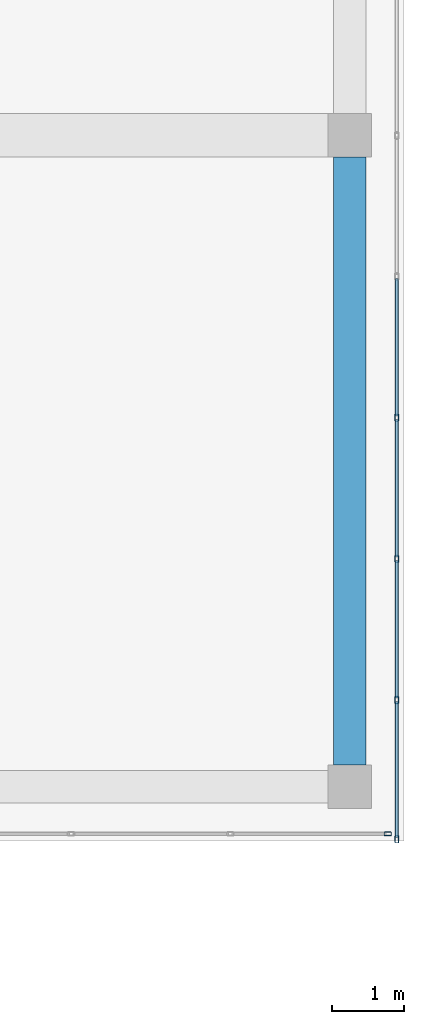
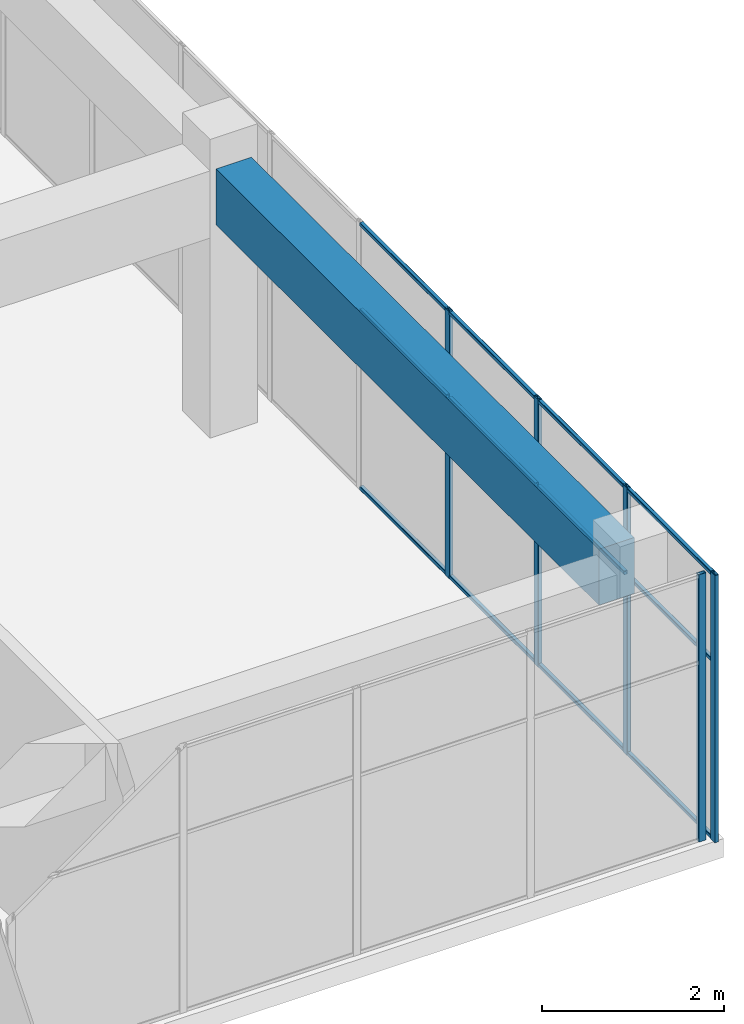
# One storey, part 17 of 35: 17 members, 1 beam, 2 elements without a shape of their own.
"""IFC4 building model written with IfcOpenShell, lengths in metres."""

from ifc_helpers import new_model, si_unit, direction, frame, origin, origin_2d, place, context, subcontext, project, spatial, rectangle, hollow_rectangle, extrude, material, layer, layer_set, material_profile, profile_set, type_object, element, aggregate, save


model = new_model("IFC4")

# Units and contexts
model_context = context("Model", 3, precision=1e-05, world=origin(), true_north=direction((0.0, 1.0)))
body_context = subcontext(model_context, "Body", "Model", "MODEL_VIEW")
ifc_project = project(units=[si_unit("LENGTHUNIT", "METRE"), si_unit("AREAUNIT", "SQUARE_METRE"), si_unit("VOLUMEUNIT", "CUBIC_METRE"), si_unit("PLANEANGLEUNIT", "RADIAN"), si_unit("MASSUNIT", "GRAM", prefix="KILO")], contexts=[model_context])

# Site, building, storey
site_placement = place(None, origin())
site = spatial("IfcSite", under=ifc_project, at=site_placement, CompositionType="ELEMENT")
building_placement = place(site_placement, origin())
building = spatial("IfcBuilding", under=site, at=building_placement, Name="Tuart Plaza Theatre", CompositionType="ELEMENT")
storey_placement = place(building_placement, frame((0.0, 0.0, 49.5)))
storey = spatial("IfcBuildingStorey", under=building, at=storey_placement, Name="L12", CompositionType="ELEMENT", Elevation=49.5)

# Beam
ifc_material_1 = material(Name="Concrete N40 (40 MPa)", Category="concrete")
ifc_material_profile_1 = material_profile(ifc_material_1, rectangle(XDim=0.449951171875, YDim=0.75, at=origin_2d()), Name="BEAM 450x750 Concrete N40 (40 MPa)")
ifc_profile_set_1 = profile_set([ifc_material_profile_1], Name="Concrete N40 (40 MPa)")
beam_type = type_object("IfcBeamType", Name="BEAM 450x750 Concrete N40 (40 MPa)", PredefinedType="BEAM", material=ifc_profile_set_1)
beam_placement = place(storey_placement, frame((150.0, 65.300048828125, 3.205078125), z_axis=(0.0, 1.0, 0.0), x_axis=(-1.0, 0.0, 0.0)))
element("IfcBeam", 1, at=beam_placement, inside=storey, type_object=beam_type, Name="RB309", PredefinedType="BEAM", context=body_context, shape_type="SweptSolid", body=[
    extrude(rectangle(XDim=0.449951171875, YDim=0.75, at=origin_2d()), origin(), (0.0, 0.0, 1.0), 8.39990234375),
])

# Curtain wall, member
ifc_material_2 = material(Name="Aluminium and glass", Category="aluminium")
ifc_layer = layer(ifc_material_2, 0.10009765625)
ifc_layer_set = layer_set([ifc_layer], Name="CURTAIN WALL 2000 module")
curtain_wall_type = type_object("IfcCurtainWallType", Name="CURTAIN WALL 2000 module", PredefinedType="NOTDEFINED", material=ifc_layer_set)
curtain_wall_1_placement = place(storey_placement, origin())
curtain_wall_1 = element("IfcCurtainWall", 2, at=curtain_wall_1_placement, inside=storey, type_object=curtain_wall_type, Name="CW101", PredefinedType="NOTDEFINED")
ifc_material_3 = material(Name="Aluminium 6063-T5", Category="aluminium")
ifc_material_profile_2 = material_profile(ifc_material_3, hollow_rectangle(XDim=0.050048828125, YDim=0.10009765625, WallThickness=0.00390625, InnerFilletRadius=0.00390625, OuterFilletRadius=0.008056640625, at=origin_2d()), Name="RHS 100x50x4")
ifc_profile_set_2 = profile_set([ifc_material_profile_2], Name="Aluminium 6063-T5")
member_type_1 = type_object("IfcMemberType", Name="MULLION RHS 100x50x4", PredefinedType="MULLION", material=ifc_profile_set_2)
member_1_placement = place(storey_placement, frame((150.52490234375, 64.35009765625, 0.0), z_axis=(0.0, 0.0, 1.0), x_axis=(0.0, 1.0, 0.0)))
member_1 = element("IfcMember", 3, at=member_1_placement, type_object=member_type_1, Name="CW101 mullion 5", PredefinedType="MULLION", context=body_context, shape_type="SweptSolid", body=[
    extrude(hollow_rectangle(XDim=0.050048828125, YDim=0.10009765625, WallThickness=0.00390625, InnerFilletRadius=0.00390625, OuterFilletRadius=0.008056640625, at=origin_2d()), origin(), (0.0, 0.0, 1.0), 3.580078125),
])
aggregate(curtain_wall_1, [member_1])

# Curtain wall, members
curtain_wall_2_placement = place(storey_placement, origin())
curtain_wall_2 = element("IfcCurtainWall", 4, at=curtain_wall_2_placement, inside=storey, type_object=curtain_wall_type, Name="CW102", PredefinedType="NOTDEFINED")
member_2_placement = place(storey_placement, frame((150.64990234375, 64.27490234375, 0.0), z_axis=(0.0, 0.0, 1.0), x_axis=(-1.0, 0.0, 0.0)))
member_2 = element("IfcMember", 5, at=member_2_placement, type_object=member_type_1, Name="CW102 mullion 1", PredefinedType="MULLION", context=body_context, shape_type="SweptSolid", body=[
    extrude(hollow_rectangle(XDim=0.050048828125, YDim=0.10009765625, WallThickness=0.00390625, InnerFilletRadius=0.00390625, OuterFilletRadius=0.008056640625, at=origin_2d()), origin(), (0.0, 0.0, 1.0), 3.580078125),
])
member_3_placement = place(storey_placement, frame((150.64990234375, 66.199951171875, 0.0), z_axis=(0.0, 0.0, 1.0), x_axis=(-1.0, 0.0, 0.0)))
member_3 = element("IfcMember", 6, at=member_3_placement, type_object=member_type_1, Name="CW102 mullion 2", PredefinedType="MULLION", context=body_context, shape_type="SweptSolid", body=[
    extrude(hollow_rectangle(XDim=0.050048828125, YDim=0.10009765625, WallThickness=0.00390625, InnerFilletRadius=0.00390625, OuterFilletRadius=0.008056640625, at=origin_2d()), origin(), (0.0, 0.0, 1.0), 3.580078125),
])
member_4_placement = place(storey_placement, frame((150.64990234375, 68.14990234375, 0.0), z_axis=(0.0, 0.0, 1.0), x_axis=(-1.0, 0.0, 0.0)))
member_4 = element("IfcMember", 7, at=member_4_placement, type_object=member_type_1, Name="CW102 mullion 3", PredefinedType="MULLION", context=body_context, shape_type="SweptSolid", body=[
    extrude(hollow_rectangle(XDim=0.050048828125, YDim=0.10009765625, WallThickness=0.00390625, InnerFilletRadius=0.00390625, OuterFilletRadius=0.008056640625, at=origin_2d()), origin(), (0.0, 0.0, 1.0), 3.580078125),
])
member_5_placement = place(storey_placement, frame((150.64990234375, 70.10009765625, 0.0), z_axis=(0.0, 0.0, 1.0), x_axis=(-1.0, 0.0, 0.0)))
member_5 = element("IfcMember", 8, at=member_5_placement, type_object=member_type_1, Name="CW102 mullion 4", PredefinedType="MULLION", context=body_context, shape_type="SweptSolid", body=[
    extrude(hollow_rectangle(XDim=0.050048828125, YDim=0.10009765625, WallThickness=0.00390625, InnerFilletRadius=0.00390625, OuterFilletRadius=0.008056640625, at=origin_2d()), origin(), (0.0, 0.0, 1.0), 3.580078125),
])
ifc_material_4 = material(Name="Aluminium 6063-T5", Category="aluminium")
ifc_material_profile_3 = material_profile(ifc_material_4, hollow_rectangle(XDim=0.050048828125, YDim=0.050048828125, WallThickness=0.00390625, InnerFilletRadius=0.00390625, OuterFilletRadius=0.008056640625, at=origin_2d()), Name="RHS 50x50x4")
ifc_profile_set_3 = profile_set([ifc_material_profile_3], Name="Aluminium 6063-T5")
member_type_2 = type_object("IfcMemberType", Name="TRANSOM RHS 50x50x4", PredefinedType="USERDEFINED", material=ifc_profile_set_3)
member_6_placement = place(storey_placement, frame((150.64990234375, 64.300048828125, 0.02490234375), z_axis=(0.0, 1.0, 0.0), x_axis=(-1.0, 0.0, 0.0)))
member_6 = element("IfcMember", 9, at=member_6_placement, type_object=member_type_2, Name="CW102 transom 1.1", ObjectType="TRANSOM", PredefinedType="USERDEFINED", context=body_context, shape_type="SweptSolid", body=[
    extrude(hollow_rectangle(XDim=0.050048828125, YDim=0.050048828125, WallThickness=0.00390625, InnerFilletRadius=0.00390625, OuterFilletRadius=0.008056640625, at=origin_2d()), origin(), (0.0, 0.0, 1.0), 1.875),
])
member_7_placement = place(storey_placement, frame((150.64990234375, 64.300048828125, 2.39990234375), z_axis=(0.0, 1.0, 0.0), x_axis=(-1.0, 0.0, 0.0)))
member_7 = element("IfcMember", 10, at=member_7_placement, type_object=member_type_2, Name="CW102 transom 1.2", ObjectType="TRANSOM", PredefinedType="USERDEFINED", context=body_context, shape_type="SweptSolid", body=[
    extrude(hollow_rectangle(XDim=0.050048828125, YDim=0.050048828125, WallThickness=0.00390625, InnerFilletRadius=0.00390625, OuterFilletRadius=0.008056640625, at=origin_2d()), origin(), (0.0, 0.0, 1.0), 1.875),
])
member_8_placement = place(storey_placement, frame((150.64990234375, 64.300048828125, 3.554931640625), z_axis=(0.0, 1.0, 0.0), x_axis=(-1.0, 0.0, 0.0)))
member_8 = element("IfcMember", 11, at=member_8_placement, type_object=member_type_2, Name="CW102 transom 1.3", ObjectType="TRANSOM", PredefinedType="USERDEFINED", context=body_context, shape_type="SweptSolid", body=[
    extrude(hollow_rectangle(XDim=0.050048828125, YDim=0.050048828125, WallThickness=0.00390625, InnerFilletRadius=0.00390625, OuterFilletRadius=0.008056640625, at=origin_2d()), origin(), (0.0, 0.0, 1.0), 1.875),
])
member_9_placement = place(storey_placement, frame((150.64990234375, 66.22509765625, 0.02490234375), z_axis=(0.0, 1.0, 0.0), x_axis=(-1.0, 0.0, 0.0)))
member_9 = element("IfcMember", 12, at=member_9_placement, type_object=member_type_2, Name="CW102 transom 2.1", ObjectType="TRANSOM", PredefinedType="USERDEFINED", context=body_context, shape_type="SweptSolid", body=[
    extrude(hollow_rectangle(XDim=0.050048828125, YDim=0.050048828125, WallThickness=0.00390625, InnerFilletRadius=0.00390625, OuterFilletRadius=0.008056640625, at=origin_2d()), origin(), (0.0, 0.0, 1.0), 1.89990234375),
])
member_10_placement = place(storey_placement, frame((150.64990234375, 66.22509765625, 2.39990234375), z_axis=(0.0, 1.0, 0.0), x_axis=(-1.0, 0.0, 0.0)))
member_10 = element("IfcMember", 13, at=member_10_placement, type_object=member_type_2, Name="CW102 transom 2.2", ObjectType="TRANSOM", PredefinedType="USERDEFINED", context=body_context, shape_type="SweptSolid", body=[
    extrude(hollow_rectangle(XDim=0.050048828125, YDim=0.050048828125, WallThickness=0.00390625, InnerFilletRadius=0.00390625, OuterFilletRadius=0.008056640625, at=origin_2d()), origin(), (0.0, 0.0, 1.0), 1.89990234375),
])
member_11_placement = place(storey_placement, frame((150.64990234375, 66.22509765625, 3.554931640625), z_axis=(0.0, 1.0, 0.0), x_axis=(-1.0, 0.0, 0.0)))
member_11 = element("IfcMember", 14, at=member_11_placement, type_object=member_type_2, Name="CW102 transom 2.3", ObjectType="TRANSOM", PredefinedType="USERDEFINED", context=body_context, shape_type="SweptSolid", body=[
    extrude(hollow_rectangle(XDim=0.050048828125, YDim=0.050048828125, WallThickness=0.00390625, InnerFilletRadius=0.00390625, OuterFilletRadius=0.008056640625, at=origin_2d()), origin(), (0.0, 0.0, 1.0), 1.89990234375),
])
member_12_placement = place(storey_placement, frame((150.64990234375, 68.175048828125, 0.02490234375), z_axis=(0.0, 1.0, 0.0), x_axis=(-1.0, 0.0, 0.0)))
member_12 = element("IfcMember", 15, at=member_12_placement, type_object=member_type_2, Name="CW102 transom 3.1", ObjectType="TRANSOM", PredefinedType="USERDEFINED", context=body_context, shape_type="SweptSolid", body=[
    extrude(hollow_rectangle(XDim=0.050048828125, YDim=0.050048828125, WallThickness=0.00390625, InnerFilletRadius=0.00390625, OuterFilletRadius=0.008056640625, at=origin_2d()), origin(), (0.0, 0.0, 1.0), 1.89990234375),
])
member_13_placement = place(storey_placement, frame((150.64990234375, 68.175048828125, 2.39990234375), z_axis=(0.0, 1.0, 0.0), x_axis=(-1.0, 0.0, 0.0)))
member_13 = element("IfcMember", 16, at=member_13_placement, type_object=member_type_2, Name="CW102 transom 3.2", ObjectType="TRANSOM", PredefinedType="USERDEFINED", context=body_context, shape_type="SweptSolid", body=[
    extrude(hollow_rectangle(XDim=0.050048828125, YDim=0.050048828125, WallThickness=0.00390625, InnerFilletRadius=0.00390625, OuterFilletRadius=0.008056640625, at=origin_2d()), origin(), (0.0, 0.0, 1.0), 1.89990234375),
])
member_14_placement = place(storey_placement, frame((150.64990234375, 68.175048828125, 3.554931640625), z_axis=(0.0, 1.0, 0.0), x_axis=(-1.0, 0.0, 0.0)))
member_14 = element("IfcMember", 17, at=member_14_placement, type_object=member_type_2, Name="CW102 transom 3.3", ObjectType="TRANSOM", PredefinedType="USERDEFINED", context=body_context, shape_type="SweptSolid", body=[
    extrude(hollow_rectangle(XDim=0.050048828125, YDim=0.050048828125, WallThickness=0.00390625, InnerFilletRadius=0.00390625, OuterFilletRadius=0.008056640625, at=origin_2d()), origin(), (0.0, 0.0, 1.0), 1.89990234375),
])
member_15_placement = place(storey_placement, frame((150.64990234375, 70.125, 0.02490234375), z_axis=(0.0, 1.0, 0.0), x_axis=(-1.0, 0.0, 0.0)))
member_15 = element("IfcMember", 18, at=member_15_placement, type_object=member_type_2, Name="CW102 transom 4.1", ObjectType="TRANSOM", PredefinedType="USERDEFINED", context=body_context, shape_type="SweptSolid", body=[
    extrude(hollow_rectangle(XDim=0.050048828125, YDim=0.050048828125, WallThickness=0.00390625, InnerFilletRadius=0.00390625, OuterFilletRadius=0.008056640625, at=origin_2d()), origin(), (0.0, 0.0, 1.0), 1.89990234375),
])
member_16_placement = place(storey_placement, frame((150.64990234375, 70.125, 2.39990234375), z_axis=(0.0, 1.0, 0.0), x_axis=(-1.0, 0.0, 0.0)))
member_16 = element("IfcMember", 19, at=member_16_placement, type_object=member_type_2, Name="CW102 transom 4.2", ObjectType="TRANSOM", PredefinedType="USERDEFINED", context=body_context, shape_type="SweptSolid", body=[
    extrude(hollow_rectangle(XDim=0.050048828125, YDim=0.050048828125, WallThickness=0.00390625, InnerFilletRadius=0.00390625, OuterFilletRadius=0.008056640625, at=origin_2d()), origin(), (0.0, 0.0, 1.0), 1.89990234375),
])
member_17_placement = place(storey_placement, frame((150.64990234375, 70.125, 3.554931640625), z_axis=(0.0, 1.0, 0.0), x_axis=(-1.0, 0.0, 0.0)))
member_17 = element("IfcMember", 20, at=member_17_placement, type_object=member_type_2, Name="CW102 transom 4.3", ObjectType="TRANSOM", PredefinedType="USERDEFINED", context=body_context, shape_type="SweptSolid", body=[
    extrude(hollow_rectangle(XDim=0.050048828125, YDim=0.050048828125, WallThickness=0.00390625, InnerFilletRadius=0.00390625, OuterFilletRadius=0.008056640625, at=origin_2d()), origin(), (0.0, 0.0, 1.0), 1.89990234375),
])
aggregate(curtain_wall_2, [member_2, member_3, member_4, member_5, member_6, member_7, member_8, member_9, member_10, member_11, member_12, member_13, member_14, member_15, member_16, member_17])

save(model, "model.ifc")
